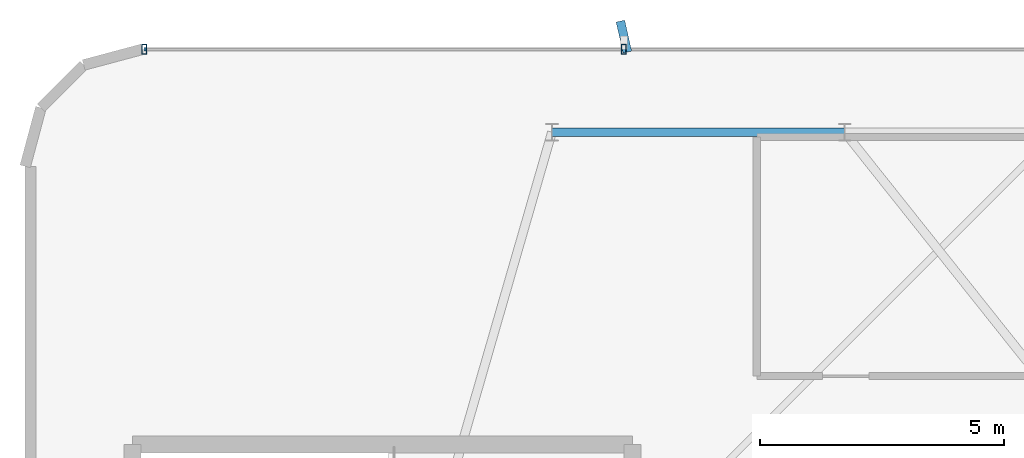
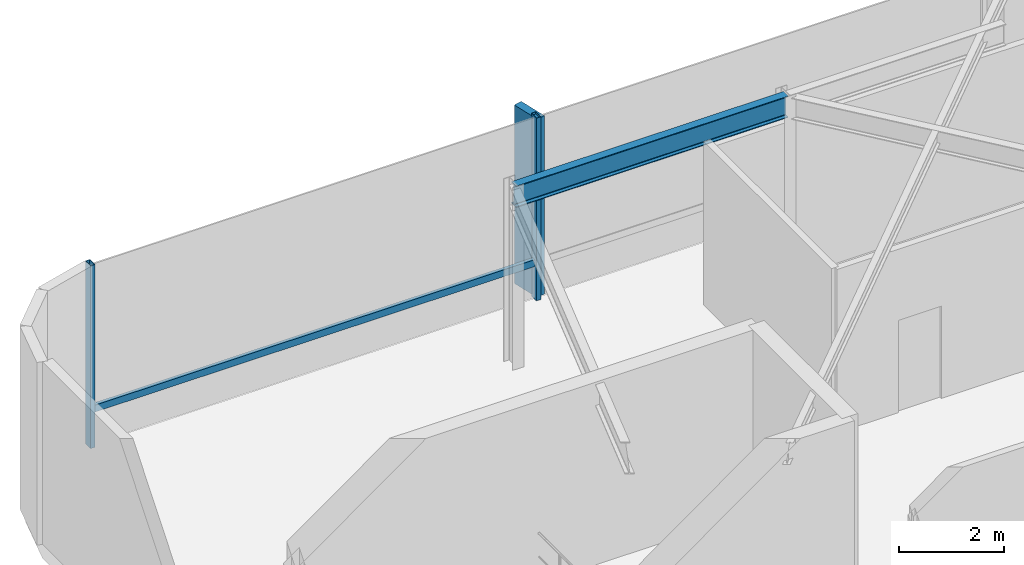
# One storey, part 13 of 26: 4 members, 1 beam, 1 element without a shape of its own.
"""IFC4 building model written with IfcOpenShell, lengths in metres."""

from ifc_helpers import new_model, si_unit, direction, frame, origin, origin_2d, place, context, subcontext, project, spatial, rectangle, hollow_rectangle, i_section, extrude, source, transform, mapped, material, material_profile, profile_set, type_object, element, aggregate, save


model = new_model("IFC4")

# Units and contexts
model_context = context("Model", 3, precision=1e-05, world=origin(), true_north=direction((0.0, 1.0)))
body_context = subcontext(model_context, "Body", "Model", "MODEL_VIEW")
ifc_project = project(units=[si_unit("LENGTHUNIT", "METRE"), si_unit("AREAUNIT", "SQUARE_METRE"), si_unit("VOLUMEUNIT", "CUBIC_METRE"), si_unit("PLANEANGLEUNIT", "RADIAN"), si_unit("MASSUNIT", "GRAM", prefix="KILO")], contexts=[model_context])

# Site, building, storey
site_placement = place(None, origin())
site = spatial("IfcSite", under=ifc_project, at=site_placement, CompositionType="ELEMENT")
building_placement = place(site_placement, origin())
building = spatial("IfcBuilding", under=site, at=building_placement, Name="Sahyath Konkavel Grand Hotel", CompositionType="ELEMENT")
storey_placement = place(building_placement, frame((0.0, 0.0, 18.60009765625)))
storey = spatial("IfcBuildingStorey", under=building, at=storey_placement, Name="L04", CompositionType="ELEMENT", Elevation=18.60009765625)

# Beam
ifc_material_1 = material(Name="Steel E350", Category="steel")
ifc_material_profile_1 = material_profile(ifc_material_1, i_section(OverallWidth=0.179931640625, OverallDepth=0.5, WebThickness=0.01025390625, FlangeThickness=0.01708984375, FilletRadius=0.01708984375, at=origin_2d()), Name="ISMB 500")
ifc_profile_set_1 = profile_set([ifc_material_profile_1], Name="Steel E350")
beam_type = type_object("IfcBeamType", Name="BM-ISMB500", PredefinedType="BEAM", material=ifc_profile_set_1)
shared_shape_1 = source(origin(), body_context, "Body", "SweptSolid", [
    extrude(i_section(OverallWidth=0.179931640625, OverallDepth=0.5, WebThickness=0.01025390625, FlangeThickness=0.01708984375, FilletRadius=0.01708984375, at=origin_2d()), origin(), (0.0, 0.0, 1.0), 6.0),
])
beam_placement = place(storey_placement, frame((-18.0, 20.5, 3.949951171875), z_axis=(1.0, 0.0, 0.0), x_axis=(0.0, 1.0, 0.0)))
element("IfcBeam", 1, at=beam_placement, inside=storey, type_object=beam_type, Name="str:bm:L04:POD34-01", PredefinedType="BEAM", context=body_context, shape_type="MappedRepresentation", body=[
    mapped(shared_shape_1, transform((0.0, 0.0, 0.0), scale=1.0)),
])

# Curtain wall, members
ifc_material_2 = material(Name="Anodised Bronze Aluminium & Low-E Glazing", Category="aluminium")
curtain_wall_type = type_object("IfcCurtainWallType", Name="CW-PODIUM", PredefinedType="NOTDEFINED", material=ifc_material_2)
curtain_wall_placement = place(storey_placement, origin())
curtain_wall = element("IfcCurtainWall", 2, at=curtain_wall_placement, inside=storey, type_object=curtain_wall_type, Name="L04 Unitised Curtain Wall N3", PredefinedType="NOTDEFINED")
ifc_material_3 = material(Name="Anodised Bronze Aluminium", Category="aluminium")
ifc_material_profile_2 = material_profile(ifc_material_3, hollow_rectangle(XDim=0.10009765625, YDim=0.199951171875, WallThickness=0.008056640625, at=origin_2d()), Name="RHS 200x100x8")
ifc_profile_set_2 = profile_set([ifc_material_profile_2], Name="Anodised Bronze Aluminium")
member_type_1 = type_object("IfcMemberType", Name="CW-MUL-200", PredefinedType="MULLION", material=ifc_profile_set_2)
shared_shape_2 = source(origin(), body_context, "Body", "SweptSolid", [
    extrude(hollow_rectangle(XDim=0.10009765625, YDim=0.199951171875, WallThickness=0.008056640625, at=origin_2d()), origin(), (0.0, 0.0, 1.0), 4.260009765625),
])
member_1_placement = place(storey_placement, frame((-16.52490234375, 22.199951171875, 0.0), z_axis=(0.0, 0.0, 1.0), x_axis=(1.0, 0.0, 0.0)))
member_1 = element("IfcMember", 3, at=member_1_placement, type_object=member_type_1, Name="L04 Curtain Wall Mullion N3-1", PredefinedType="MULLION", context=body_context, shape_type="MappedRepresentation", body=[
    mapped(shared_shape_2, transform((0.0, 0.0, 0.0), scale=1.0)),
])
member_2_placement = place(storey_placement, frame((-26.360107421875, 22.199951171875, 0.0), z_axis=(0.0, 0.0, 1.0), x_axis=(1.0, 0.0, 0.0)))
member_2 = element("IfcMember", 4, at=member_2_placement, type_object=member_type_1, Name="L04 Curtain Wall Mullion N3-2", PredefinedType="MULLION", context=body_context, shape_type="MappedRepresentation", body=[
    mapped(shared_shape_2, transform((0.0, 0.0, 0.0), scale=1.0)),
])
ifc_material_4 = material(Name="Warm Buff Sandstone Cladding on Concrete C50/60", Category="masonry")
ifc_material_profile_3 = material_profile(ifc_material_4, rectangle(XDim=0.179931640625, YDim=0.64990234375, at=origin_2d()), Name="FIN 180x650")
ifc_profile_set_3 = profile_set([ifc_material_profile_3], Name="Warm Buff Sandstone Cladding on Concrete C50/60")
member_type_2 = type_object("IfcMemberType", Name="FIN-SANDSTONE-650", PredefinedType="MULLION", material=ifc_profile_set_3)
shared_shape_3 = source(origin(), body_context, "Body", "SweptSolid", [
    extrude(rectangle(XDim=0.179931640625, YDim=0.64990234375, at=origin_2d()), origin(), (0.0, 0.0, 1.0), 4.16015625),
])
member_3_placement = place(storey_placement, frame((-16.52490234375, 22.4599609375, 0.0498046875), z_axis=(0.0, 0.0, 1.0), x_axis=(0.975419299024, 0.220356962886, 0.0)))
member_3 = element("IfcMember", 5, at=member_3_placement, type_object=member_type_2, Name="L04 Sandstone Vertical Solar Fin FIN N3-1", PredefinedType="MULLION", context=body_context, shape_type="MappedRepresentation", body=[
    mapped(shared_shape_3, transform((0.0, 0.0, 0.0), scale=1.0)),
])
ifc_material_profile_4 = material_profile(ifc_material_3, hollow_rectangle(XDim=0.080078125, YDim=0.159912109375, WallThickness=0.006103515625, at=origin_2d()), Name="RHS 160x80x6")
ifc_profile_set_4 = profile_set([ifc_material_profile_4], Name="Anodised Bronze Aluminium")
member_type_3 = type_object("IfcMemberType", Name="CW-TRN-160", PredefinedType="USERDEFINED", material=ifc_profile_set_4)
shared_shape_4 = source(origin(), body_context, "Body", "SweptSolid", [
    extrude(hollow_rectangle(XDim=0.080078125, YDim=0.159912109375, WallThickness=0.006103515625, at=origin_2d()), origin(), (0.0, 0.0, 1.0), 9.835205078125),
])
member_4_placement = place(storey_placement, frame((-16.52490234375, 22.199951171875, 0.849853515625), z_axis=(-1.0, 0.0, 0.0), x_axis=(0.0, -1.0, 0.0)))
member_4 = element("IfcMember", 6, at=member_4_placement, type_object=member_type_3, Name="L04 Curtain Wall Transom N3-1-spandrel", ObjectType="TRANSOM", PredefinedType="USERDEFINED", context=body_context, shape_type="MappedRepresentation", body=[
    mapped(shared_shape_4, transform((0.0, 0.0, 0.0), scale=1.0)),
])
aggregate(curtain_wall, [member_1, member_3, member_2, member_4])

save(model, "model.ifc")
